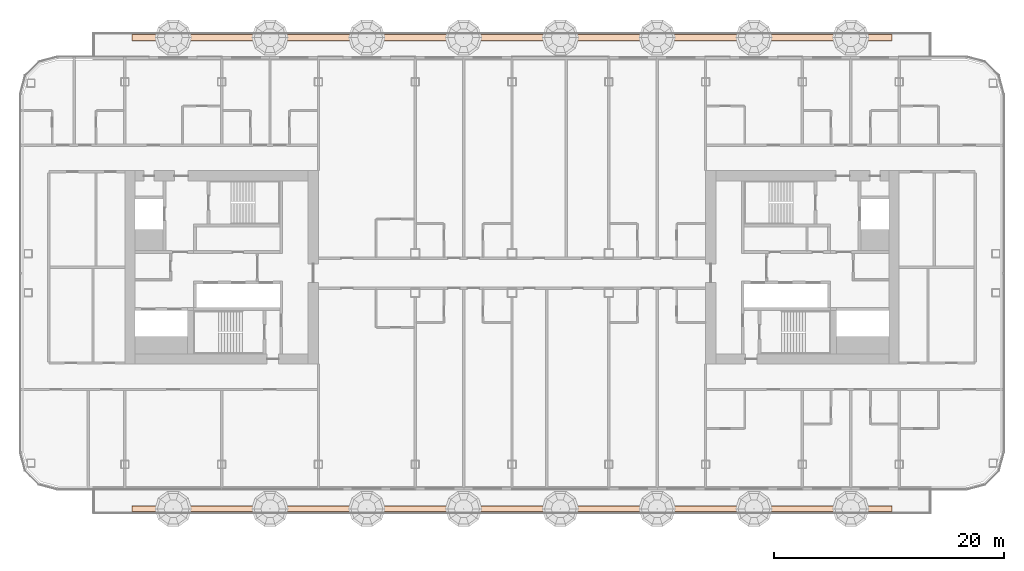
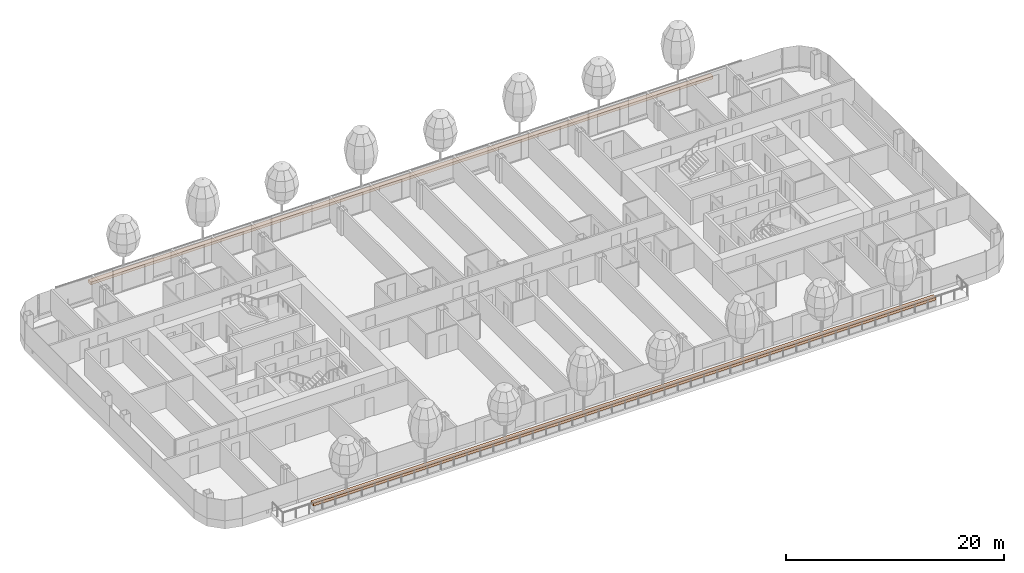
# One storey, part 27 of 30: 2 geographic elements.
"""IFC4 building model written with IfcOpenShell, lengths in metres."""

from ifc_helpers import new_model, si_unit, direction, frame, origin, origin_2d, place, context, subcontext, project, spatial, rectangle, extrude, material, type_object, element, save


model = new_model("IFC4")

# Units and contexts
model_context = context("Model", 3, precision=1e-05, world=origin(), true_north=direction((0.0, 1.0)))
body_context = subcontext(model_context, "Body", "Model", "MODEL_VIEW")
ifc_project = project(units=[si_unit("LENGTHUNIT", "METRE"), si_unit("AREAUNIT", "SQUARE_METRE"), si_unit("VOLUMEUNIT", "CUBIC_METRE"), si_unit("PLANEANGLEUNIT", "RADIAN"), si_unit("MASSUNIT", "GRAM", prefix="KILO")], contexts=[model_context])

# Site, building, storey
site_placement = place(None, origin())
site = spatial("IfcSite", under=ifc_project, at=site_placement, CompositionType="ELEMENT")
building_placement = place(site_placement, origin())
building = spatial("IfcBuilding", under=site, at=building_placement, Name="Hakoniwa Tower and Hamabe Station Hall", CompositionType="ELEMENT")
storey_placement = place(building_placement, frame((0.0, 0.0, 137.39990234375)))
storey = spatial("IfcBuildingStorey", under=building, at=storey_placement, Name="L38", CompositionType="ELEMENT", Elevation=137.39990234375)

# Geographic elements
ifc_material = material(Name="Shrub planting")
geographic_element_type = type_object("IfcGeographicElementType", Name="Shrub planting bed 500x300", PredefinedType="USERDEFINED", material=ifc_material)
for number, where, z_axis, x_axis, name in (
    (1, (0.0, 19.949951171875, 0.60009765625), (0.0, 0.0, 1.0), (1.0, 0.0, 0.0), "Shrub planting bed 500x300"),
    (2, (0.0, -20.949951171875, 0.60009765625), (0.0, 0.0, 1.0), (1.0, 0.0, 0.0), "Shrub planting bed 500x300"),
):
    element("IfcGeographicElement", number, at=place(storey_placement, frame(where, z_axis=z_axis, x_axis=x_axis)), inside=storey, type_object=geographic_element_type, Name=name, ObjectType="PLANTING", PredefinedType="USERDEFINED", context=body_context, shape_type="SweptSolid", body=[
        extrude(rectangle(XDim=66.0, YDim=0.5, at=origin_2d()), origin(), (0.0, 0.0, 1.0), 0.300048828125),
    ])

save(model, "model.ifc")
